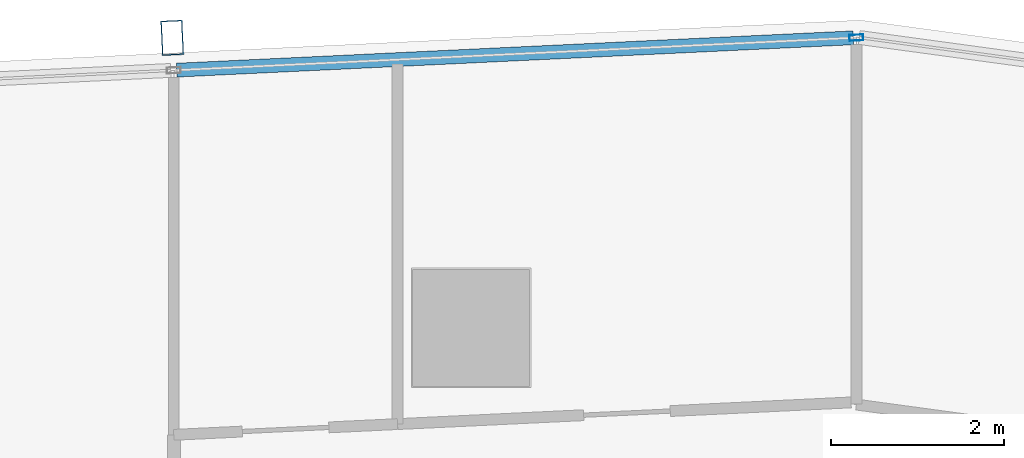
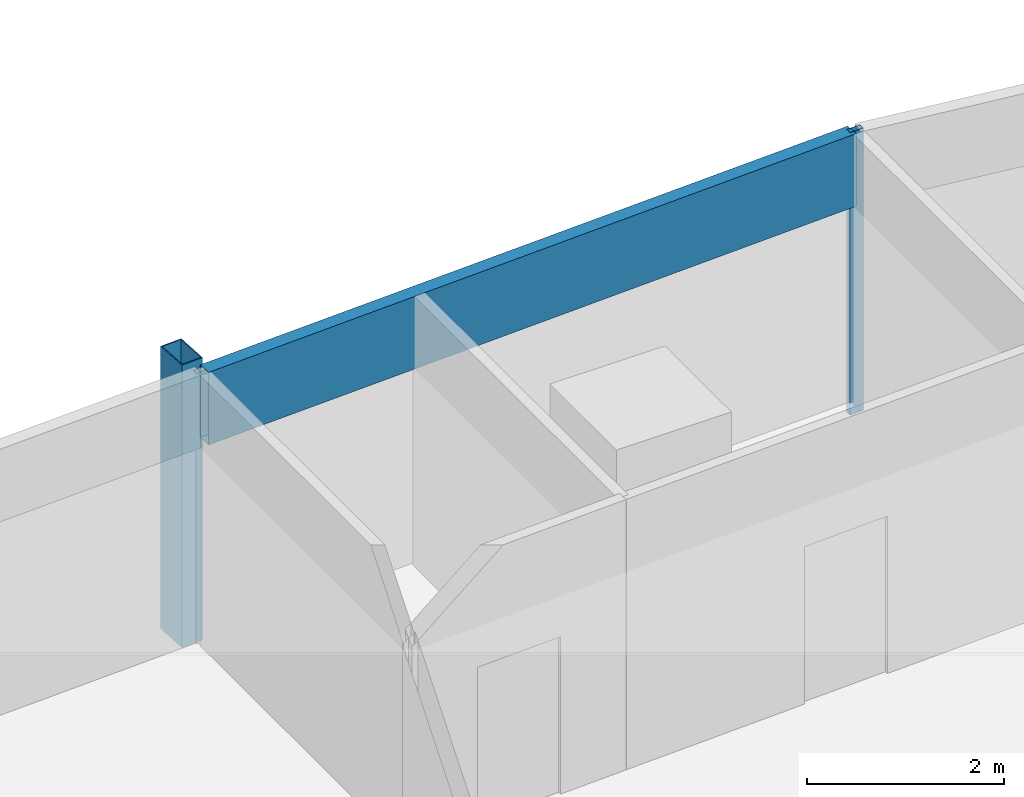
# One storey, part 25 of 38: 3 members, 1 element without a shape of its own.
"""IFC4 building model written with IfcOpenShell, lengths in metres."""

from ifc_helpers import new_model, si_unit, direction, frame, origin, origin_2d, place, context, subcontext, project, spatial, hollow_rectangle, extrude, material, material_profile, profile_set, type_object, element, aggregate, save


model = new_model("IFC4")

# Units and contexts
model_context = context("Model", 3, precision=1e-05, world=origin(), true_north=direction((0.0, 1.0)))
body_context = subcontext(model_context, "Body", "Model", "MODEL_VIEW")
ifc_project = project(units=[si_unit("LENGTHUNIT", "METRE"), si_unit("AREAUNIT", "SQUARE_METRE"), si_unit("VOLUMEUNIT", "CUBIC_METRE"), si_unit("PLANEANGLEUNIT", "RADIAN"), si_unit("MASSUNIT", "GRAM", prefix="KILO")], contexts=[model_context])

# Site, building, storey
site_placement = place(None, origin())
site = spatial("IfcSite", under=ifc_project, at=site_placement, CompositionType="ELEMENT")
building_placement = place(site_placement, origin())
building = spatial("IfcBuilding", under=site, at=building_placement, Name="Rekha Terrace Tower", CompositionType="ELEMENT")
storey_placement = place(building_placement, frame((0.0, 0.0, 198.949951171875)))
storey = spatial("IfcBuildingStorey", under=building, at=storey_placement, Name="L50", CompositionType="ELEMENT", Elevation=198.949951171875)

# Curtain wall, members
ifc_material_1 = material(Name="Aluminium framing", Category="aluminium")
curtain_wall_type = type_object("IfcCurtainWallType", Name="CW3 north unitised glazing", PredefinedType="USERDEFINED", material=ifc_material_1)
curtain_wall_placement = place(storey_placement, origin())
curtain_wall = element("IfcCurtainWall", 1, at=curtain_wall_placement, inside=storey, type_object=curtain_wall_type, Name="CW3 unitised curtain wall", ObjectType="UNITISED CURTAIN WALL", PredefinedType="USERDEFINED")
ifc_material_2 = material(Name="Steel S355 with fluorocarbon finish", Category="steel")
ifc_material_profile_1 = material_profile(ifc_material_2, hollow_rectangle(XDim=0.25, YDim=0.39990234375, WallThickness=0.012451171875, at=origin_2d()), Name="RHS400x250x12.5")
ifc_profile_set_1 = profile_set([ifc_material_profile_1], Name="Steel S355 with fluorocarbon finish")
member_type_1 = type_object("IfcMemberType", Name="BL1 facade blade RHS 400 x 250", PredefinedType="USERDEFINED", material=ifc_profile_set_1)
member_1_placement = place(storey_placement, frame((38.55224609375, 62.145751953125, 0.0), z_axis=(0.0, 0.0, 1.0), x_axis=(-0.998858913274, -0.04775846913, 0.0)))
member_1 = element("IfcMember", 2, at=member_1_placement, type_object=member_type_1, Name="Facade blade", ObjectType="FACADE BLADE", PredefinedType="USERDEFINED", context=body_context, shape_type="SweptSolid", body=[
    extrude(hollow_rectangle(XDim=0.25, YDim=0.39990234375, WallThickness=0.012451171875, at=origin_2d()), origin(), (0.0, 0.0, 1.0), 3.5),
])
ifc_material_3 = material(Name="Aluminium mullion section", Category="aluminium")
ifc_material_profile_2 = material_profile(ifc_material_3, hollow_rectangle(XDim=0.070068359375, YDim=0.159912109375, WallThickness=0.00390625, at=origin_2d()), Name="AL RHS 70x160")
ifc_profile_set_2 = profile_set([ifc_material_profile_2], Name="Aluminium mullion section")
member_type_2 = type_object("IfcMemberType", Name="CW3 mullion RHS 70 x 160", PredefinedType="MULLION", material=ifc_profile_set_2)
member_2_placement = place(storey_placement, frame((46.4443359375, 62.147705078125, 0.0), z_axis=(0.0, 0.0, 1.0), x_axis=(0.047758616983, -0.998858906204, 0.0)))
member_2 = element("IfcMember", 3, at=member_2_placement, type_object=member_type_2, Name="CW3 mullion 1", PredefinedType="MULLION", context=body_context, shape_type="SweptSolid", body=[
    extrude(hollow_rectangle(XDim=0.070068359375, YDim=0.159912109375, WallThickness=0.00390625, at=origin_2d()), origin(), (0.0, 0.0, 1.0), 3.5),
])
ifc_material_4 = material(Name="Insulated aluminium spandrel box", Category="aluminium")
ifc_material_profile_3 = material_profile(ifc_material_4, hollow_rectangle(XDim=0.159912109375, YDim=0.89990234375, WallThickness=0.0029296875, at=origin_2d()), Name="AL SPANDREL BOX 160x900")
ifc_profile_set_3 = profile_set([ifc_material_profile_3], Name="Insulated aluminium spandrel box")
member_type_3 = type_object("IfcMemberType", Name="CW3 spandrel transom 160 x 900", PredefinedType="USERDEFINED", material=ifc_profile_set_3)
member_3_placement = place(storey_placement, frame((46.4091796875, 62.14599609375, 3.050048828125), z_axis=(-0.998859425172, -0.047747761666, 0.0), x_axis=(0.047747761666, -0.998859425172, 0.0)))
member_3 = element("IfcMember", 4, at=member_3_placement, type_object=member_type_3, Name="CW3 spandrel transom 1", ObjectType="TRANSOM", PredefinedType="USERDEFINED", context=body_context, shape_type="SweptSolid", body=[
    extrude(hollow_rectangle(XDim=0.159912109375, YDim=0.89990234375, WallThickness=0.0029296875, at=origin_2d()), origin(), (0.0, 0.0, 1.0), 7.81298828125),
])
aggregate(curtain_wall, [member_2, member_3, member_1])

save(model, "model.ifc")
